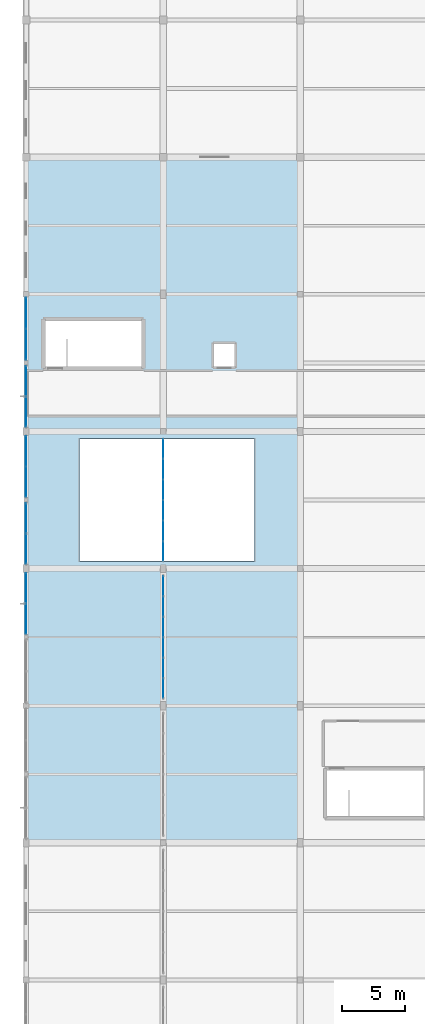
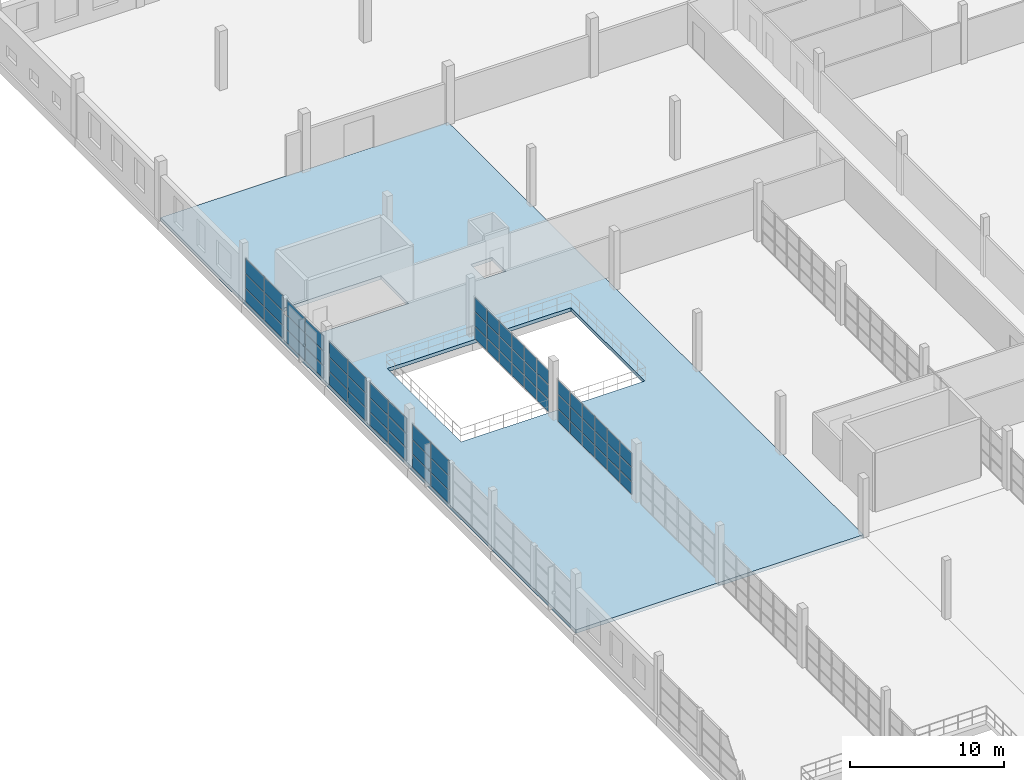
# One storey, part 89 of 142: 66 plates, 1 slab, 7 elements without a shape of their own.
"""IFC4 building model written with IfcOpenShell, lengths in metres."""

import ifcopenshell
import ifcopenshell.guid

model = None  # the IFC model being written
_history = None  # IfcOwnerHistory: only IFC2X3 demands one
_inside = {}  # id of a spatial element -> (the spatial element, [elements in it])
_under = {}  # id of a project, library or spatial element -> (it, [spatial elements below it])
_declared = {}  # id of a project -> (the project, [libraries it declares])
_typed = {}  # id of a type object -> (the type object, [elements of that type])
_made_of = {}  # id of a material, layer set ... -> (it, [elements and type objects made of it])


def new_model(schema):
    """Start an empty IFC model of exactly this schema.

    Asked for "IFC4X3", IfcOpenShell would pick the latest addendum, in which some entities
    have other attributes; the version numbers below select the first issue.
    IFC2X3 requires an IfcOwnerHistory on every rooted entity: one is made here for all.
    """
    global model, _history
    if schema == "IFC4X3":
        model = ifcopenshell.file(schema_version=(4, 3, 0, 0))
    else:
        model = ifcopenshell.file(schema=schema)
    _inside.clear()
    _under.clear()
    _declared.clear()
    _typed.clear()
    _made_of.clear()
    _history = None
    if model.schema == "IFC2X3":
        org = make("IfcOrganization", Name="unknown")
        user = make(
            "IfcPersonAndOrganization",
            ThePerson=make("IfcPerson", FamilyName="unknown"),
            TheOrganization=org,
        )
        app = make(
            "IfcApplication",
            ApplicationDeveloper=org,
            Version="unknown",
            ApplicationFullName="unknown",
            ApplicationIdentifier="unknown",
        )
        _history = make(
            "IfcOwnerHistory",
            OwningUser=user,
            OwningApplication=app,
            ChangeAction="ADDED",
            CreationDate=0,
        )
    return model


def make(cls, **values):
    """One entity of the class cls with the attributes given. An attribute that is None is left unset."""
    return model.create_entity(
        cls, **{name: value for name, value in values.items() if value is not None}
    )


def rooted(cls, **values):
    """An entity with a GlobalId (a new one), such as an element, a storey or a relation."""
    return make(cls, GlobalId=ifcopenshell.guid.new(), OwnerHistory=_history, **values)


def si_unit(unit_type, name, prefix=None):
    """IfcSIUnit, for example si_unit("LENGTHUNIT", "METRE", prefix="MILLI")."""
    return make("IfcSIUnit", UnitType=unit_type, Prefix=prefix, Name=name)


def assignment(units):
    """IfcUnitAssignment: the units of a project."""
    return None if units is None else make("IfcUnitAssignment", Units=units)


def point(xyz):
    """IfcCartesianPoint."""
    return None if xyz is None else make("IfcCartesianPoint", Coordinates=xyz)


def direction(xyz):
    """IfcDirection."""
    return None if xyz is None else make("IfcDirection", DirectionRatios=xyz)


def frame(location, z_axis=None, x_axis=None):
    """IfcAxis2Placement3D, a coordinate frame: its origin and axes. An axis left out is left unset."""
    return make(
        "IfcAxis2Placement3D",
        Location=point(location),
        Axis=direction(z_axis),
        RefDirection=direction(x_axis),
    )


def frame_2d(location, x_axis=None):
    """IfcAxis2Placement2D, a coordinate frame in the plane: its origin and x axis."""
    return make(
        "IfcAxis2Placement2D", Location=point(location), RefDirection=direction(x_axis)
    )


def origin():
    """The frame at (0, 0, 0) with its axes left unset."""
    return frame((0.0, 0.0, 0.0))


def origin_2d():
    """The frame at (0, 0) in the plane with its x axis left unset."""
    return frame_2d((0.0, 0.0))


def place(relative_to, where):
    """IfcLocalPlacement: puts the frame where relative to a parent placement (None: the world)."""
    return make(
        "IfcLocalPlacement", PlacementRelTo=relative_to, RelativePlacement=where
    )


def context(
    kind, dimensions, precision=None, world=None, true_north=None, identifier=None
):
    """IfcGeometricRepresentationContext, for example the 3D "Model" context."""
    return make(
        "IfcGeometricRepresentationContext",
        ContextIdentifier=identifier,
        ContextType=kind,
        CoordinateSpaceDimension=dimensions,
        Precision=precision,
        WorldCoordinateSystem=world,
        TrueNorth=true_north,
    )


def subcontext(parent, identifier, kind, view, scale=None):
    """IfcGeometricRepresentationSubContext, for example "Body" below "Model"."""
    return make(
        "IfcGeometricRepresentationSubContext",
        ContextIdentifier=identifier,
        ContextType=kind,
        ParentContext=parent,
        TargetScale=scale,
        TargetView=view,
    )


def project(units=None, contexts=None):
    """IfcProject with its units and contexts."""
    return rooted(
        "IfcProject",
        Name="project",
        RepresentationContexts=contexts,
        UnitsInContext=assignment(units),
    )


def spatial(cls, under=None, at=None, **own):
    """A site, building, storey or space (cls), placed at a placement, below another one or the project."""
    s = rooted(cls, ObjectPlacement=at, **own)
    if under is not None:
        _under.setdefault(under.id(), (under, []))[1].append(s)
    return s


def polyline(points):
    """IfcPolyline through the points."""
    return make("IfcPolyline", Points=[point(p) for p in points])


def profile(cls, at=None, kind="AREA", **sizes):
    """A parametric profile (cls). Its sizes go by their IFC names, for example OverallWidth=200.0."""
    return make(cls, ProfileType=kind, Position=at, **sizes)


def rectangle(**sizes):
    """IfcRectangleProfileDef."""
    return profile("IfcRectangleProfileDef", **sizes)


def outline(outer, holes=None, kind="AREA"):
    """IfcArbitraryClosedProfileDef: a profile drawn as a closed curve; with holes, ...WithVoids."""
    if holes is None:
        return make("IfcArbitraryClosedProfileDef", ProfileType=kind, OuterCurve=outer)
    return make(
        "IfcArbitraryProfileDefWithVoids",
        ProfileType=kind,
        OuterCurve=outer,
        InnerCurves=holes,
    )


def extrude(swept, where, along, depth):
    """IfcExtrudedAreaSolid: the profile swept, set in the frame where, extruded along a direction by depth."""
    return make(
        "IfcExtrudedAreaSolid",
        SweptArea=swept,
        Position=where,
        ExtrudedDirection=direction(along),
        Depth=depth,
    )


def shape(context_of_items, identifier, shape_type, items):
    """IfcShapeRepresentation: the items that make up one representation, for example the "Body"."""
    return make(
        "IfcShapeRepresentation",
        ContextOfItems=context_of_items,
        RepresentationIdentifier=identifier,
        RepresentationType=shape_type,
        Items=items,
    )


def material(Name=None, Category=None):
    """IfcMaterial."""
    return make("IfcMaterial", Name=Name, Category=Category)


def layer(
    of_material, thickness, ventilated=None, Name=None, Category=None, Priority=None
):
    """IfcMaterialLayer: one layer of a wall or slab, of a material (None: an air gap)."""
    return make(
        "IfcMaterialLayer",
        Material=of_material,
        LayerThickness=thickness,
        IsVentilated=ventilated,
        Name=Name,
        Category=Category,
        Priority=Priority,
    )


def layer_set(layers, Name=None):
    """IfcMaterialLayerSet."""
    return make("IfcMaterialLayerSet", MaterialLayers=layers, LayerSetName=Name)


def made_of(thing, what):
    """Note that an element or type object is made of a material, layer set ...; save() writes the relation."""
    if what is not None:
        _made_of.setdefault(what.id(), (what, []))[1].append(thing)
    return thing


def type_object(cls, material=None, **own):
    """A type object (cls), such as IfcWallType, which elements share."""
    return made_of(rooted(cls, **own), material)


def element(
    cls,
    number,
    at=None,
    inside=None,
    cuts=None,
    type_object=None,
    material=None,
    context=None,
    identifier="Body",
    shape_type=None,
    held_by="IfcProductDefinitionShape",
    body=None,
    shapes=None,
    **own,
):
    """One element of the class cls, such as IfcWall. Its Tag is "e" and its number.

    at: its placement. inside: the storey or other place that contains it. cuts: it is an
    opening in that element (IfcRelVoidsElement). A single representation is given by context,
    identifier, shape_type and body (its items); several are given by shapes. held_by: the class
    of the entity that holds the representations. save() writes the other relations.
    """
    e = rooted(cls, Tag="e%d" % number, ObjectPlacement=at, **own)
    if body is not None:
        shapes = [shape(context, identifier, shape_type, body)]
    if shapes is not None:
        e.Representation = make(held_by, Representations=shapes)
    if inside is not None:
        _inside.setdefault(inside.id(), (inside, []))[1].append(e)
    if cuts is not None:
        rooted(
            "IfcRelVoidsElement", RelatingBuildingElement=cuts, RelatedOpeningElement=e
        )
    if type_object is not None:
        _typed.setdefault(type_object.id(), (type_object, []))[1].append(e)
    return made_of(e, material)


def aggregate(whole, parts):
    """IfcRelAggregates: a whole, such as a stair, and the parts it consists of."""
    return rooted("IfcRelAggregates", RelatingObject=whole, RelatedObjects=parts)


def save(model, path):
    """Write the relations noted so far, then the file.

    IfcRelAggregates (storeys below a building ...), IfcRelContainedInSpatialStructure (elements
    in a storey), IfcRelDefinesByType, IfcRelAssociatesMaterial and IfcRelDeclares: one each for
    every whole, place, type object, material and project.
    """
    for whole, parts in _under.values():
        aggregate(whole, parts)
    for where, things in _inside.values():
        rooted(
            "IfcRelContainedInSpatialStructure",
            RelatedElements=things,
            RelatingStructure=where,
        )
    for kind, things in _typed.values():
        rooted("IfcRelDefinesByType", RelatedObjects=things, RelatingType=kind)
    for what, things in _made_of.values():
        rooted("IfcRelAssociatesMaterial", RelatedObjects=things, RelatingMaterial=what)
    for by, libraries in _declared.values():
        rooted("IfcRelDeclares", RelatingContext=by, RelatedDefinitions=libraries)
    model.write(path)


model = new_model("IFC4")

# Units and contexts
model_context = context("Model", 3, precision=1e-05, world=origin(), true_north=direction((0.0, 1.0)))
body_context = subcontext(model_context, "Body", "Model", "MODEL_VIEW")
ifc_project = project(units=[si_unit("LENGTHUNIT", "METRE"), si_unit("AREAUNIT", "SQUARE_METRE"), si_unit("VOLUMEUNIT", "CUBIC_METRE"), si_unit("PLANEANGLEUNIT", "RADIAN"), si_unit("MASSUNIT", "GRAM", prefix="KILO")], contexts=[model_context])

# Site, building, storey
site_placement = place(None, origin())
site = spatial("IfcSite", under=ifc_project, at=site_placement, CompositionType="ELEMENT")
building_placement = place(site_placement, origin())
building = spatial("IfcBuilding", under=site, at=building_placement, Name="Zwinboog Wholesale Market", CompositionType="ELEMENT")
storey_placement = place(building_placement, frame((0.0, 0.0, 5.39990234375)))
storey = spatial("IfcBuildingStorey", under=building, at=storey_placement, Name="L01", CompositionType="ELEMENT", Elevation=5.39990234375)

# Slab
ifc_material_1 = material(Name="Precast concrete C45/55", Category="concrete")
ifc_layer_1 = layer(ifc_material_1, 0.280029296875)
ifc_layer_set_1 = layer_set([ifc_layer_1], Name="Precast concrete C45/55")
slab_type = type_object("IfcSlabType", Name="SLT-FL-280", PredefinedType="FLOOR", material=ifc_layer_set_1)
slab_placement = place(storey_placement, frame((0.0, 0.0, -0.27978515625)))
element("IfcSlab", 1, at=slab_placement, inside=storey, type_object=slab_type, Name="SF-280 (SLB-L01-032)", PredefinedType="FLOOR", context=body_context, shape_type="SweptSolid", body=[
    extrude(outline(polyline([(0.0, 54.0), (21.60009765625, 54.0), (21.60009765625, 108.0), (0.0, 108.0), (0.0, 54.0)]), holes=[polyline([(4.199951171875, 76.199951171875), (18.0, 76.199951171875), (18.0, 85.800048828125), (4.199951171875, 85.800048828125), (4.199951171875, 76.199951171875)]), polyline([(1.5, 91.5), (9.10009765625, 91.5), (9.10009765625, 95.10009765625), (1.5, 95.10009765625), (1.5, 91.5)]), polyline([(14.800048828125, 91.5), (16.39990234375, 91.5), (16.39990234375, 93.300048828125), (14.800048828125, 93.300048828125), (14.800048828125, 91.5)])]), origin(), (0.0, 0.0, 1.0), 0.27978515625),
])

# Curtain wall, plates
ifc_material_2 = material(Name="Aluminium thermally broken curtain wall", Category="aluminium")
curtain_wall_type_1 = type_object("IfcCurtainWallType", Name="CWT-OFF-15", PredefinedType="USERDEFINED", material=ifc_material_2)
curtain_wall_1_placement = place(storey_placement, origin())
curtain_wall_1 = element("IfcCurtainWall", 2, at=curtain_wall_1_placement, inside=storey, type_object=curtain_wall_type_1, Name="CW-06 (CW-L01-060)", ObjectType="UNITIZED_CURTAIN_WALL", PredefinedType="USERDEFINED")
ifc_material_3 = material(Name="Double low-e insulated glazing", Category="glass")
ifc_layer_2 = layer(ifc_material_3, 0.031982421875)
ifc_layer_set_2 = layer_set([ifc_layer_2], Name="Double low-e insulated glazing")
plate_type_1 = type_object("IfcPlateType", Name="CWP-IGU-32", PredefinedType="CURTAIN_PANEL", material=ifc_layer_set_2)
plate_1_placement = place(storey_placement, frame((0.0, 71.635009765625, 0.06005859375), z_axis=(0.0, 0.0, 1.0), x_axis=(0.0, 1.0, 0.0)))
plate_1 = element("IfcPlate", 3, at=plate_1_placement, type_object=plate_type_1, Name="CW-06 panel 1.1", PredefinedType="CURTAIN_PANEL", context=body_context, shape_type="SweptSolid", body=[
    extrude(rectangle(XDim=2.35009765625, YDim=0.031982421875, at=origin_2d()), origin(), (0.0, 0.0, 1.0), 1.010009765625),
])
plate_2_placement = place(storey_placement, frame((0.0, 71.635009765625, 1.1298828125), z_axis=(0.0, 0.0, 1.0), x_axis=(0.0, 1.0, 0.0)))
plate_2 = element("IfcPlate", 4, at=plate_2_placement, type_object=plate_type_1, Name="CW-06 panel 1.2", PredefinedType="CURTAIN_PANEL", context=body_context, shape_type="SweptSolid", body=[
    extrude(rectangle(XDim=2.35009765625, YDim=0.031982421875, at=origin_2d()), origin(), (0.0, 0.0, 1.0), 1.090087890625),
])
plate_3_placement = place(storey_placement, frame((0.0, 71.635009765625, 2.280029296875), z_axis=(0.0, 0.0, 1.0), x_axis=(0.0, 1.0, 0.0)))
plate_3 = element("IfcPlate", 5, at=plate_3_placement, type_object=plate_type_1, Name="CW-06 panel 1.3", PredefinedType="CURTAIN_PANEL", context=body_context, shape_type="SweptSolid", body=[
    extrude(rectangle(XDim=2.35009765625, YDim=0.031982421875, at=origin_2d()), origin(), (0.0, 0.0, 1.0), 1.18994140625),
])
plate_4_placement = place(storey_placement, frame((0.0, 74.044921875, 0.06005859375), z_axis=(0.0, 0.0, 1.0), x_axis=(0.0, 1.0, 0.0)))
plate_4 = element("IfcPlate", 6, at=plate_4_placement, type_object=plate_type_1, Name="CW-06 panel 2.1", PredefinedType="CURTAIN_PANEL", context=body_context, shape_type="SweptSolid", body=[
    extrude(rectangle(XDim=2.35009765625, YDim=0.031982421875, at=origin_2d()), origin(), (0.0, 0.0, 1.0), 1.010009765625),
])
plate_5_placement = place(storey_placement, frame((0.0, 74.044921875, 1.1298828125), z_axis=(0.0, 0.0, 1.0), x_axis=(0.0, 1.0, 0.0)))
plate_5 = element("IfcPlate", 7, at=plate_5_placement, type_object=plate_type_1, Name="CW-06 panel 2.2", PredefinedType="CURTAIN_PANEL", context=body_context, shape_type="SweptSolid", body=[
    extrude(rectangle(XDim=2.35009765625, YDim=0.031982421875, at=origin_2d()), origin(), (0.0, 0.0, 1.0), 1.090087890625),
])
plate_6_placement = place(storey_placement, frame((0.0, 74.044921875, 2.280029296875), z_axis=(0.0, 0.0, 1.0), x_axis=(0.0, 1.0, 0.0)))
plate_6 = element("IfcPlate", 8, at=plate_6_placement, type_object=plate_type_1, Name="CW-06 panel 2.3", PredefinedType="CURTAIN_PANEL", context=body_context, shape_type="SweptSolid", body=[
    extrude(rectangle(XDim=2.35009765625, YDim=0.031982421875, at=origin_2d()), origin(), (0.0, 0.0, 1.0), 1.18994140625),
])
aggregate(curtain_wall_1, [plate_1, plate_2, plate_3, plate_4, plate_5, plate_6])

curtain_wall_type_2 = type_object("IfcCurtainWallType", Name="CWT-STALL-18", PredefinedType="USERDEFINED", material=ifc_material_2)
curtain_wall_2_placement = place(storey_placement, origin())
curtain_wall_2 = element("IfcCurtainWall", 9, at=curtain_wall_2_placement, inside=storey, type_object=curtain_wall_type_2, Name="CW-01 (CW-L01-061)", ObjectType="STOREFRONT_GLAZING", PredefinedType="USERDEFINED")
plate_7_placement = place(storey_placement, frame((0.0, 77.15625, 0.065185546875), z_axis=(0.0, 0.0, 1.0), x_axis=(0.0, 1.0, 0.0)))
plate_7 = element("IfcPlate", 10, at=plate_7_placement, type_object=plate_type_1, Name="CW-01 panel 1.1", PredefinedType="CURTAIN_PANEL", context=body_context, shape_type="SweptSolid", body=[
    extrude(rectangle(XDim=2.342529296875, YDim=0.031982421875, at=origin_2d()), origin(), (0.0, 0.0, 1.0), 1.00244140625),
])
plate_8_placement = place(storey_placement, frame((0.0, 77.15625, 1.132568359375), z_axis=(0.0, 0.0, 1.0), x_axis=(0.0, 1.0, 0.0)))
plate_8 = element("IfcPlate", 11, at=plate_8_placement, type_object=plate_type_1, Name="CW-01 panel 1.2", PredefinedType="CURTAIN_PANEL", context=body_context, shape_type="SweptSolid", body=[
    extrude(rectangle(XDim=2.342529296875, YDim=0.031982421875, at=origin_2d()), origin(), (0.0, 0.0, 1.0), 1.0849609375),
])
plate_9_placement = place(storey_placement, frame((0.0, 77.15625, 2.282470703125), z_axis=(0.0, 0.0, 1.0), x_axis=(0.0, 1.0, 0.0)))
plate_9 = element("IfcPlate", 12, at=plate_9_placement, type_object=plate_type_1, Name="CW-01 panel 1.3", PredefinedType="CURTAIN_PANEL", context=body_context, shape_type="SweptSolid", body=[
    extrude(rectangle(XDim=2.342529296875, YDim=0.031982421875, at=origin_2d()), origin(), (0.0, 0.0, 1.0), 1.1826171875),
])
plate_10_placement = place(storey_placement, frame((0.0, 79.563720703125, 0.065185546875), z_axis=(0.0, 0.0, 1.0), x_axis=(0.0, 1.0, 0.0)))
plate_10 = element("IfcPlate", 13, at=plate_10_placement, type_object=plate_type_1, Name="CW-01 panel 2.1", PredefinedType="CURTAIN_PANEL", context=body_context, shape_type="SweptSolid", body=[
    extrude(rectangle(XDim=2.342529296875, YDim=0.031982421875, at=origin_2d()), origin(), (0.0, 0.0, 1.0), 1.00244140625),
])
plate_11_placement = place(storey_placement, frame((0.0, 79.563720703125, 1.132568359375), z_axis=(0.0, 0.0, 1.0), x_axis=(0.0, 1.0, 0.0)))
plate_11 = element("IfcPlate", 14, at=plate_11_placement, type_object=plate_type_1, Name="CW-01 panel 2.2", PredefinedType="CURTAIN_PANEL", context=body_context, shape_type="SweptSolid", body=[
    extrude(rectangle(XDim=2.342529296875, YDim=0.031982421875, at=origin_2d()), origin(), (0.0, 0.0, 1.0), 1.0849609375),
])
plate_12_placement = place(storey_placement, frame((0.0, 79.563720703125, 2.282470703125), z_axis=(0.0, 0.0, 1.0), x_axis=(0.0, 1.0, 0.0)))
plate_12 = element("IfcPlate", 15, at=plate_12_placement, type_object=plate_type_1, Name="CW-01 panel 2.3", PredefinedType="CURTAIN_PANEL", context=body_context, shape_type="SweptSolid", body=[
    extrude(rectangle(XDim=2.342529296875, YDim=0.031982421875, at=origin_2d()), origin(), (0.0, 0.0, 1.0), 1.1826171875),
])
aggregate(curtain_wall_2, [plate_7, plate_8, plate_9, plate_10, plate_11, plate_12])

curtain_wall_type_3 = type_object("IfcCurtainWallType", Name="CWT-STALL-20", PredefinedType="USERDEFINED", material=ifc_material_2)
curtain_wall_3_placement = place(storey_placement, origin())
curtain_wall_3 = element("IfcCurtainWall", 16, at=curtain_wall_3_placement, inside=storey, type_object=curtain_wall_type_3, Name="CW-02 (CW-L01-062)", ObjectType="STOREFRONT_GLAZING", PredefinedType="USERDEFINED")
plate_13_placement = place(storey_placement, frame((0.0, 82.43505859375, 0.06005859375), z_axis=(0.0, 0.0, 1.0), x_axis=(0.0, 1.0, 0.0)))
plate_13 = element("IfcPlate", 17, at=plate_13_placement, type_object=plate_type_1, Name="CW-02 panel 1.1", PredefinedType="CURTAIN_PANEL", context=body_context, shape_type="SweptSolid", body=[
    extrude(rectangle(XDim=2.35009765625, YDim=0.031982421875, at=origin_2d()), origin(), (0.0, 0.0, 1.0), 1.010009765625),
])
plate_14_placement = place(storey_placement, frame((0.0, 82.43505859375, 1.1298828125), z_axis=(0.0, 0.0, 1.0), x_axis=(0.0, 1.0, 0.0)))
plate_14 = element("IfcPlate", 18, at=plate_14_placement, type_object=plate_type_1, Name="CW-02 panel 1.2", PredefinedType="CURTAIN_PANEL", context=body_context, shape_type="SweptSolid", body=[
    extrude(rectangle(XDim=2.35009765625, YDim=0.031982421875, at=origin_2d()), origin(), (0.0, 0.0, 1.0), 1.090087890625),
])
plate_15_placement = place(storey_placement, frame((0.0, 82.43505859375, 2.280029296875), z_axis=(0.0, 0.0, 1.0), x_axis=(0.0, 1.0, 0.0)))
plate_15 = element("IfcPlate", 19, at=plate_15_placement, type_object=plate_type_1, Name="CW-02 panel 1.3", PredefinedType="CURTAIN_PANEL", context=body_context, shape_type="SweptSolid", body=[
    extrude(rectangle(XDim=2.35009765625, YDim=0.031982421875, at=origin_2d()), origin(), (0.0, 0.0, 1.0), 1.18994140625),
])
plate_16_placement = place(storey_placement, frame((0.0, 84.844970703125, 0.06005859375), z_axis=(0.0, 0.0, 1.0), x_axis=(0.0, 1.0, 0.0)))
plate_16 = element("IfcPlate", 20, at=plate_16_placement, type_object=plate_type_1, Name="CW-02 panel 2.1", PredefinedType="CURTAIN_PANEL", context=body_context, shape_type="SweptSolid", body=[
    extrude(rectangle(XDim=2.35009765625, YDim=0.031982421875, at=origin_2d()), origin(), (0.0, 0.0, 1.0), 1.010009765625),
])
plate_17_placement = place(storey_placement, frame((0.0, 84.844970703125, 1.1298828125), z_axis=(0.0, 0.0, 1.0), x_axis=(0.0, 1.0, 0.0)))
plate_17 = element("IfcPlate", 21, at=plate_17_placement, type_object=plate_type_1, Name="CW-02 panel 2.2", PredefinedType="CURTAIN_PANEL", context=body_context, shape_type="SweptSolid", body=[
    extrude(rectangle(XDim=2.35009765625, YDim=0.031982421875, at=origin_2d()), origin(), (0.0, 0.0, 1.0), 1.090087890625),
])
plate_18_placement = place(storey_placement, frame((0.0, 84.844970703125, 2.280029296875), z_axis=(0.0, 0.0, 1.0), x_axis=(0.0, 1.0, 0.0)))
plate_18 = element("IfcPlate", 22, at=plate_18_placement, type_object=plate_type_1, Name="CW-02 panel 2.3", PredefinedType="CURTAIN_PANEL", context=body_context, shape_type="SweptSolid", body=[
    extrude(rectangle(XDim=2.35009765625, YDim=0.031982421875, at=origin_2d()), origin(), (0.0, 0.0, 1.0), 1.18994140625),
])
aggregate(curtain_wall_3, [plate_13, plate_14, plate_15, plate_16, plate_17, plate_18])

curtain_wall_type_4 = type_object("IfcCurtainWallType", Name="CWT-HALL-24", PredefinedType="USERDEFINED", material=ifc_material_2)
curtain_wall_4_placement = place(storey_placement, origin())
curtain_wall_4 = element("IfcCurtainWall", 23, at=curtain_wall_4_placement, inside=storey, type_object=curtain_wall_type_4, Name="CW-03 (CW-L01-063)", ObjectType="UNITIZED_CURTAIN_WALL", PredefinedType="USERDEFINED")
plate_19_placement = place(storey_placement, frame((0.0, 87.956298828125, 0.065185546875), z_axis=(0.0, 0.0, 1.0), x_axis=(0.0, 1.0, 0.0)))
plate_19 = element("IfcPlate", 24, at=plate_19_placement, type_object=plate_type_1, Name="CW-03 panel 1.1", PredefinedType="CURTAIN_PANEL", context=body_context, shape_type="SweptSolid", body=[
    extrude(rectangle(XDim=2.342529296875, YDim=0.031982421875, at=origin_2d()), origin(), (0.0, 0.0, 1.0), 1.00244140625),
])
plate_20_placement = place(storey_placement, frame((0.0, 87.956298828125, 1.132568359375), z_axis=(0.0, 0.0, 1.0), x_axis=(0.0, 1.0, 0.0)))
plate_20 = element("IfcPlate", 25, at=plate_20_placement, type_object=plate_type_1, Name="CW-03 panel 1.2", PredefinedType="CURTAIN_PANEL", context=body_context, shape_type="SweptSolid", body=[
    extrude(rectangle(XDim=2.342529296875, YDim=0.031982421875, at=origin_2d()), origin(), (0.0, 0.0, 1.0), 1.0849609375),
])
plate_21_placement = place(storey_placement, frame((0.0, 87.956298828125, 2.282470703125), z_axis=(0.0, 0.0, 1.0), x_axis=(0.0, 1.0, 0.0)))
plate_21 = element("IfcPlate", 26, at=plate_21_placement, type_object=plate_type_1, Name="CW-03 panel 1.3", PredefinedType="CURTAIN_PANEL", context=body_context, shape_type="SweptSolid", body=[
    extrude(rectangle(XDim=2.342529296875, YDim=0.031982421875, at=origin_2d()), origin(), (0.0, 0.0, 1.0), 1.1826171875),
])
plate_22_placement = place(storey_placement, frame((0.0, 90.36376953125, 0.065185546875), z_axis=(0.0, 0.0, 1.0), x_axis=(0.0, 1.0, 0.0)))
plate_22 = element("IfcPlate", 27, at=plate_22_placement, type_object=plate_type_1, Name="CW-03 panel 2.1", PredefinedType="CURTAIN_PANEL", context=body_context, shape_type="SweptSolid", body=[
    extrude(rectangle(XDim=2.342529296875, YDim=0.031982421875, at=origin_2d()), origin(), (0.0, 0.0, 1.0), 1.00244140625),
])
plate_23_placement = place(storey_placement, frame((0.0, 90.36376953125, 1.132568359375), z_axis=(0.0, 0.0, 1.0), x_axis=(0.0, 1.0, 0.0)))
plate_23 = element("IfcPlate", 28, at=plate_23_placement, type_object=plate_type_1, Name="CW-03 panel 2.2", PredefinedType="CURTAIN_PANEL", context=body_context, shape_type="SweptSolid", body=[
    extrude(rectangle(XDim=2.342529296875, YDim=0.031982421875, at=origin_2d()), origin(), (0.0, 0.0, 1.0), 1.0849609375),
])
plate_24_placement = place(storey_placement, frame((0.0, 90.36376953125, 2.282470703125), z_axis=(0.0, 0.0, 1.0), x_axis=(0.0, 1.0, 0.0)))
plate_24 = element("IfcPlate", 29, at=plate_24_placement, type_object=plate_type_1, Name="CW-03 panel 2.3", PredefinedType="CURTAIN_PANEL", context=body_context, shape_type="SweptSolid", body=[
    extrude(rectangle(XDim=2.342529296875, YDim=0.031982421875, at=origin_2d()), origin(), (0.0, 0.0, 1.0), 1.1826171875),
])
aggregate(curtain_wall_4, [plate_19, plate_20, plate_21, plate_22, plate_23, plate_24])

curtain_wall_type_5 = type_object("IfcCurtainWallType", Name="CWT-GAL-16", PredefinedType="USERDEFINED", material=ifc_material_2)
curtain_wall_5_placement = place(storey_placement, origin())
curtain_wall_5 = element("IfcCurtainWall", 30, at=curtain_wall_5_placement, inside=storey, type_object=curtain_wall_type_5, Name="CW-04 (CW-L01-064)", ObjectType="UNITIZED_CURTAIN_WALL", PredefinedType="USERDEFINED")
plate_25_placement = place(storey_placement, frame((0.0, 93.260009765625, 0.06005859375), z_axis=(0.0, 0.0, 1.0), x_axis=(0.0, 1.0, 0.0)))
plate_25 = element("IfcPlate", 31, at=plate_25_placement, type_object=plate_type_1, Name="CW-04 panel 1.1", PredefinedType="CURTAIN_PANEL", context=body_context, shape_type="SweptSolid", body=[
    extrude(rectangle(XDim=2.39990234375, YDim=0.031982421875, at=origin_2d()), origin(), (0.0, 0.0, 1.0), 1.010009765625),
])
plate_26_placement = place(storey_placement, frame((0.0, 93.260009765625, 1.1298828125), z_axis=(0.0, 0.0, 1.0), x_axis=(0.0, 1.0, 0.0)))
plate_26 = element("IfcPlate", 32, at=plate_26_placement, type_object=plate_type_1, Name="CW-04 panel 1.2", PredefinedType="CURTAIN_PANEL", context=body_context, shape_type="SweptSolid", body=[
    extrude(rectangle(XDim=2.39990234375, YDim=0.031982421875, at=origin_2d()), origin(), (0.0, 0.0, 1.0), 1.090087890625),
])
plate_27_placement = place(storey_placement, frame((0.0, 93.260009765625, 2.280029296875), z_axis=(0.0, 0.0, 1.0), x_axis=(0.0, 1.0, 0.0)))
plate_27 = element("IfcPlate", 33, at=plate_27_placement, type_object=plate_type_1, Name="CW-04 panel 1.3", PredefinedType="CURTAIN_PANEL", context=body_context, shape_type="SweptSolid", body=[
    extrude(rectangle(XDim=2.39990234375, YDim=0.031982421875, at=origin_2d()), origin(), (0.0, 0.0, 1.0), 1.18994140625),
])
plate_28_placement = place(storey_placement, frame((0.0, 95.719970703125, 0.06005859375), z_axis=(0.0, 0.0, 1.0), x_axis=(0.0, 1.0, 0.0)))
plate_28 = element("IfcPlate", 34, at=plate_28_placement, type_object=plate_type_1, Name="CW-04 panel 2.1", PredefinedType="CURTAIN_PANEL", context=body_context, shape_type="SweptSolid", body=[
    extrude(rectangle(XDim=2.39990234375, YDim=0.031982421875, at=origin_2d()), origin(), (0.0, 0.0, 1.0), 1.010009765625),
])
plate_29_placement = place(storey_placement, frame((0.0, 95.719970703125, 1.1298828125), z_axis=(0.0, 0.0, 1.0), x_axis=(0.0, 1.0, 0.0)))
plate_29 = element("IfcPlate", 35, at=plate_29_placement, type_object=plate_type_1, Name="CW-04 panel 2.2", PredefinedType="CURTAIN_PANEL", context=body_context, shape_type="SweptSolid", body=[
    extrude(rectangle(XDim=2.39990234375, YDim=0.031982421875, at=origin_2d()), origin(), (0.0, 0.0, 1.0), 1.090087890625),
])
plate_30_placement = place(storey_placement, frame((0.0, 95.719970703125, 2.280029296875), z_axis=(0.0, 0.0, 1.0), x_axis=(0.0, 1.0, 0.0)))
plate_30 = element("IfcPlate", 36, at=plate_30_placement, type_object=plate_type_1, Name="CW-04 panel 2.3", PredefinedType="CURTAIN_PANEL", context=body_context, shape_type="SweptSolid", body=[
    extrude(rectangle(XDim=2.39990234375, YDim=0.031982421875, at=origin_2d()), origin(), (0.0, 0.0, 1.0), 1.18994140625),
])
aggregate(curtain_wall_5, [plate_25, plate_26, plate_27, plate_28, plate_29, plate_30])

curtain_wall_type_6 = type_object("IfcCurtainWallType", Name="CWT-INT-STALL", PredefinedType="USERDEFINED", material=ifc_material_2)
curtain_wall_6_placement = place(storey_placement, origin())
curtain_wall_6 = element("IfcCurtainWall", 37, at=curtain_wall_6_placement, inside=storey, type_object=curtain_wall_type_6, Name="CW-07 (CW-STL-261)", ObjectType="STOREFRONT_GLAZING", PredefinedType="USERDEFINED")
ifc_material_4 = material(Name="Tempered laminated market stall glazing", Category="glass")
ifc_layer_3 = layer(ifc_material_4, 0.01611328125)
ifc_layer_set_3 = layer_set([ifc_layer_3], Name="Tempered laminated market stall glazing")
plate_type_2 = type_object("IfcPlateType", Name="CWP-INT-16", PredefinedType="CURTAIN_PANEL", material=ifc_layer_set_3)
plate_31_placement = place(storey_placement, frame((10.800048828125, 66.17333984375, 0.06005859375), z_axis=(0.0, 0.0, 1.0), x_axis=(0.0, 1.0, 0.0)))
plate_31 = element("IfcPlate", 38, at=plate_31_placement, type_object=plate_type_2, Name="CW-07 panel 1.1", PredefinedType="CURTAIN_PANEL", context=body_context, shape_type="SweptSolid", body=[
    extrude(rectangle(XDim=1.526611328125, YDim=0.01611328125, at=origin_2d()), origin(), (0.0, 0.0, 1.0), 0.9599609375),
])
plate_32_placement = place(storey_placement, frame((10.800048828125, 66.17333984375, 1.080078125), z_axis=(0.0, 0.0, 1.0), x_axis=(0.0, 1.0, 0.0)))
plate_32 = element("IfcPlate", 39, at=plate_32_placement, type_object=plate_type_2, Name="CW-07 panel 1.2", PredefinedType="CURTAIN_PANEL", context=body_context, shape_type="SweptSolid", body=[
    extrude(rectangle(XDim=1.526611328125, YDim=0.01611328125, at=origin_2d()), origin(), (0.0, 0.0, 1.0), 1.090087890625),
])
plate_33_placement = place(storey_placement, frame((10.800048828125, 66.17333984375, 2.22998046875), z_axis=(0.0, 0.0, 1.0), x_axis=(0.0, 1.0, 0.0)))
plate_33 = element("IfcPlate", 40, at=plate_33_placement, type_object=plate_type_2, Name="CW-07 panel 1.3", PredefinedType="CURTAIN_PANEL", context=body_context, shape_type="SweptSolid", body=[
    extrude(rectangle(XDim=1.526611328125, YDim=0.01611328125, at=origin_2d()), origin(), (0.0, 0.0, 1.0), 1.110107421875),
])
plate_34_placement = place(storey_placement, frame((10.800048828125, 67.77490234375, 0.06005859375), z_axis=(0.0, 0.0, 1.0), x_axis=(0.0, 1.0, 0.0)))
plate_34 = element("IfcPlate", 41, at=plate_34_placement, type_object=plate_type_2, Name="CW-07 panel 2.1", PredefinedType="CURTAIN_PANEL", context=body_context, shape_type="SweptSolid", body=[
    extrude(rectangle(XDim=1.556640625, YDim=0.01611328125, at=origin_2d()), origin(), (0.0, 0.0, 1.0), 0.9599609375),
])
plate_35_placement = place(storey_placement, frame((10.800048828125, 67.77490234375, 1.080078125), z_axis=(0.0, 0.0, 1.0), x_axis=(0.0, 1.0, 0.0)))
plate_35 = element("IfcPlate", 42, at=plate_35_placement, type_object=plate_type_2, Name="CW-07 panel 2.2", PredefinedType="CURTAIN_PANEL", context=body_context, shape_type="SweptSolid", body=[
    extrude(rectangle(XDim=1.556640625, YDim=0.01611328125, at=origin_2d()), origin(), (0.0, 0.0, 1.0), 1.090087890625),
])
plate_36_placement = place(storey_placement, frame((10.800048828125, 67.77490234375, 2.22998046875), z_axis=(0.0, 0.0, 1.0), x_axis=(0.0, 1.0, 0.0)))
plate_36 = element("IfcPlate", 43, at=plate_36_placement, type_object=plate_type_2, Name="CW-07 panel 2.3", PredefinedType="CURTAIN_PANEL", context=body_context, shape_type="SweptSolid", body=[
    extrude(rectangle(XDim=1.556640625, YDim=0.01611328125, at=origin_2d()), origin(), (0.0, 0.0, 1.0), 1.110107421875),
])
plate_37_placement = place(storey_placement, frame((10.800048828125, 69.3916015625, 0.06005859375), z_axis=(0.0, 0.0, 1.0), x_axis=(0.0, 1.0, 0.0)))
plate_37 = element("IfcPlate", 44, at=plate_37_placement, type_object=plate_type_2, Name="CW-07 panel 3.1", PredefinedType="CURTAIN_PANEL", context=body_context, shape_type="SweptSolid", body=[
    extrude(rectangle(XDim=1.556640625, YDim=0.01611328125, at=origin_2d()), origin(), (0.0, 0.0, 1.0), 0.9599609375),
])
plate_38_placement = place(storey_placement, frame((10.800048828125, 69.3916015625, 1.080078125), z_axis=(0.0, 0.0, 1.0), x_axis=(0.0, 1.0, 0.0)))
plate_38 = element("IfcPlate", 45, at=plate_38_placement, type_object=plate_type_2, Name="CW-07 panel 3.2", PredefinedType="CURTAIN_PANEL", context=body_context, shape_type="SweptSolid", body=[
    extrude(rectangle(XDim=1.556640625, YDim=0.01611328125, at=origin_2d()), origin(), (0.0, 0.0, 1.0), 1.090087890625),
])
plate_39_placement = place(storey_placement, frame((10.800048828125, 69.3916015625, 2.22998046875), z_axis=(0.0, 0.0, 1.0), x_axis=(0.0, 1.0, 0.0)))
plate_39 = element("IfcPlate", 46, at=plate_39_placement, type_object=plate_type_2, Name="CW-07 panel 3.3", PredefinedType="CURTAIN_PANEL", context=body_context, shape_type="SweptSolid", body=[
    extrude(rectangle(XDim=1.556640625, YDim=0.01611328125, at=origin_2d()), origin(), (0.0, 0.0, 1.0), 1.110107421875),
])
plate_40_placement = place(storey_placement, frame((10.800048828125, 71.00830078125, 0.06005859375), z_axis=(0.0, 0.0, 1.0), x_axis=(0.0, 1.0, 0.0)))
plate_40 = element("IfcPlate", 47, at=plate_40_placement, type_object=plate_type_2, Name="CW-07 panel 4.1", PredefinedType="CURTAIN_PANEL", context=body_context, shape_type="SweptSolid", body=[
    extrude(rectangle(XDim=1.556640625, YDim=0.01611328125, at=origin_2d()), origin(), (0.0, 0.0, 1.0), 0.9599609375),
])
plate_41_placement = place(storey_placement, frame((10.800048828125, 71.00830078125, 1.080078125), z_axis=(0.0, 0.0, 1.0), x_axis=(0.0, 1.0, 0.0)))
plate_41 = element("IfcPlate", 48, at=plate_41_placement, type_object=plate_type_2, Name="CW-07 panel 4.2", PredefinedType="CURTAIN_PANEL", context=body_context, shape_type="SweptSolid", body=[
    extrude(rectangle(XDim=1.556640625, YDim=0.01611328125, at=origin_2d()), origin(), (0.0, 0.0, 1.0), 1.090087890625),
])
plate_42_placement = place(storey_placement, frame((10.800048828125, 71.00830078125, 2.22998046875), z_axis=(0.0, 0.0, 1.0), x_axis=(0.0, 1.0, 0.0)))
plate_42 = element("IfcPlate", 49, at=plate_42_placement, type_object=plate_type_2, Name="CW-07 panel 4.3", PredefinedType="CURTAIN_PANEL", context=body_context, shape_type="SweptSolid", body=[
    extrude(rectangle(XDim=1.556640625, YDim=0.01611328125, at=origin_2d()), origin(), (0.0, 0.0, 1.0), 1.110107421875),
])
plate_43_placement = place(storey_placement, frame((10.800048828125, 72.625, 0.06005859375), z_axis=(0.0, 0.0, 1.0), x_axis=(0.0, 1.0, 0.0)))
plate_43 = element("IfcPlate", 50, at=plate_43_placement, type_object=plate_type_2, Name="CW-07 panel 5.1", PredefinedType="CURTAIN_PANEL", context=body_context, shape_type="SweptSolid", body=[
    extrude(rectangle(XDim=1.556640625, YDim=0.01611328125, at=origin_2d()), origin(), (0.0, 0.0, 1.0), 0.9599609375),
])
plate_44_placement = place(storey_placement, frame((10.800048828125, 72.625, 1.080078125), z_axis=(0.0, 0.0, 1.0), x_axis=(0.0, 1.0, 0.0)))
plate_44 = element("IfcPlate", 51, at=plate_44_placement, type_object=plate_type_2, Name="CW-07 panel 5.2", PredefinedType="CURTAIN_PANEL", context=body_context, shape_type="SweptSolid", body=[
    extrude(rectangle(XDim=1.556640625, YDim=0.01611328125, at=origin_2d()), origin(), (0.0, 0.0, 1.0), 1.090087890625),
])
plate_45_placement = place(storey_placement, frame((10.800048828125, 72.625, 2.22998046875), z_axis=(0.0, 0.0, 1.0), x_axis=(0.0, 1.0, 0.0)))
plate_45 = element("IfcPlate", 52, at=plate_45_placement, type_object=plate_type_2, Name="CW-07 panel 5.3", PredefinedType="CURTAIN_PANEL", context=body_context, shape_type="SweptSolid", body=[
    extrude(rectangle(XDim=1.556640625, YDim=0.01611328125, at=origin_2d()), origin(), (0.0, 0.0, 1.0), 1.110107421875),
])
plate_46_placement = place(storey_placement, frame((10.800048828125, 74.2265625, 0.06005859375), z_axis=(0.0, 0.0, 1.0), x_axis=(0.0, 1.0, 0.0)))
plate_46 = element("IfcPlate", 53, at=plate_46_placement, type_object=plate_type_2, Name="CW-07 panel 6.1", PredefinedType="CURTAIN_PANEL", context=body_context, shape_type="SweptSolid", body=[
    extrude(rectangle(XDim=1.526611328125, YDim=0.01611328125, at=origin_2d()), origin(), (0.0, 0.0, 1.0), 0.9599609375),
])
plate_47_placement = place(storey_placement, frame((10.800048828125, 74.2265625, 1.080078125), z_axis=(0.0, 0.0, 1.0), x_axis=(0.0, 1.0, 0.0)))
plate_47 = element("IfcPlate", 54, at=plate_47_placement, type_object=plate_type_2, Name="CW-07 panel 6.2", PredefinedType="CURTAIN_PANEL", context=body_context, shape_type="SweptSolid", body=[
    extrude(rectangle(XDim=1.526611328125, YDim=0.01611328125, at=origin_2d()), origin(), (0.0, 0.0, 1.0), 1.090087890625),
])
plate_48_placement = place(storey_placement, frame((10.800048828125, 74.2265625, 2.22998046875), z_axis=(0.0, 0.0, 1.0), x_axis=(0.0, 1.0, 0.0)))
plate_48 = element("IfcPlate", 55, at=plate_48_placement, type_object=plate_type_2, Name="CW-07 panel 6.3", PredefinedType="CURTAIN_PANEL", context=body_context, shape_type="SweptSolid", body=[
    extrude(rectangle(XDim=1.526611328125, YDim=0.01611328125, at=origin_2d()), origin(), (0.0, 0.0, 1.0), 1.110107421875),
])
aggregate(curtain_wall_6, [plate_31, plate_32, plate_33, plate_34, plate_35, plate_36, plate_37, plate_38, plate_39, plate_40, plate_41, plate_42, plate_43, plate_44, plate_45, plate_46, plate_47, plate_48])

curtain_wall_7_placement = place(storey_placement, origin())
curtain_wall_7 = element("IfcCurtainWall", 56, at=curtain_wall_7_placement, inside=storey, type_object=curtain_wall_type_6, Name="CW-07 (CW-STL-262)", ObjectType="STOREFRONT_GLAZING", PredefinedType="USERDEFINED")
plate_49_placement = place(storey_placement, frame((10.800048828125, 76.973388671875, 0.06005859375), z_axis=(0.0, 0.0, 1.0), x_axis=(0.0, 1.0, 0.0)))
plate_49 = element("IfcPlate", 57, at=plate_49_placement, type_object=plate_type_2, Name="CW-07 panel 1.1", PredefinedType="CURTAIN_PANEL", context=body_context, shape_type="SweptSolid", body=[
    extrude(rectangle(XDim=1.526611328125, YDim=0.01611328125, at=origin_2d()), origin(), (0.0, 0.0, 1.0), 0.9599609375),
])
plate_50_placement = place(storey_placement, frame((10.800048828125, 76.973388671875, 1.080078125), z_axis=(0.0, 0.0, 1.0), x_axis=(0.0, 1.0, 0.0)))
plate_50 = element("IfcPlate", 58, at=plate_50_placement, type_object=plate_type_2, Name="CW-07 panel 1.2", PredefinedType="CURTAIN_PANEL", context=body_context, shape_type="SweptSolid", body=[
    extrude(rectangle(XDim=1.526611328125, YDim=0.01611328125, at=origin_2d()), origin(), (0.0, 0.0, 1.0), 1.090087890625),
])
plate_51_placement = place(storey_placement, frame((10.800048828125, 76.973388671875, 2.22998046875), z_axis=(0.0, 0.0, 1.0), x_axis=(0.0, 1.0, 0.0)))
plate_51 = element("IfcPlate", 59, at=plate_51_placement, type_object=plate_type_2, Name="CW-07 panel 1.3", PredefinedType="CURTAIN_PANEL", context=body_context, shape_type="SweptSolid", body=[
    extrude(rectangle(XDim=1.526611328125, YDim=0.01611328125, at=origin_2d()), origin(), (0.0, 0.0, 1.0), 1.110107421875),
])
plate_52_placement = place(storey_placement, frame((10.800048828125, 78.574951171875, 0.06005859375), z_axis=(0.0, 0.0, 1.0), x_axis=(0.0, 1.0, 0.0)))
plate_52 = element("IfcPlate", 60, at=plate_52_placement, type_object=plate_type_2, Name="CW-07 panel 2.1", PredefinedType="CURTAIN_PANEL", context=body_context, shape_type="SweptSolid", body=[
    extrude(rectangle(XDim=1.556640625, YDim=0.01611328125, at=origin_2d()), origin(), (0.0, 0.0, 1.0), 0.9599609375),
])
plate_53_placement = place(storey_placement, frame((10.800048828125, 78.574951171875, 1.080078125), z_axis=(0.0, 0.0, 1.0), x_axis=(0.0, 1.0, 0.0)))
plate_53 = element("IfcPlate", 61, at=plate_53_placement, type_object=plate_type_2, Name="CW-07 panel 2.2", PredefinedType="CURTAIN_PANEL", context=body_context, shape_type="SweptSolid", body=[
    extrude(rectangle(XDim=1.556640625, YDim=0.01611328125, at=origin_2d()), origin(), (0.0, 0.0, 1.0), 1.090087890625),
])
plate_54_placement = place(storey_placement, frame((10.800048828125, 78.574951171875, 2.22998046875), z_axis=(0.0, 0.0, 1.0), x_axis=(0.0, 1.0, 0.0)))
plate_54 = element("IfcPlate", 62, at=plate_54_placement, type_object=plate_type_2, Name="CW-07 panel 2.3", PredefinedType="CURTAIN_PANEL", context=body_context, shape_type="SweptSolid", body=[
    extrude(rectangle(XDim=1.556640625, YDim=0.01611328125, at=origin_2d()), origin(), (0.0, 0.0, 1.0), 1.110107421875),
])
plate_55_placement = place(storey_placement, frame((10.800048828125, 80.191650390625, 0.06005859375), z_axis=(0.0, 0.0, 1.0), x_axis=(0.0, 1.0, 0.0)))
plate_55 = element("IfcPlate", 63, at=plate_55_placement, type_object=plate_type_2, Name="CW-07 panel 3.1", PredefinedType="CURTAIN_PANEL", context=body_context, shape_type="SweptSolid", body=[
    extrude(rectangle(XDim=1.556640625, YDim=0.01611328125, at=origin_2d()), origin(), (0.0, 0.0, 1.0), 0.9599609375),
])
plate_56_placement = place(storey_placement, frame((10.800048828125, 80.191650390625, 1.080078125), z_axis=(0.0, 0.0, 1.0), x_axis=(0.0, 1.0, 0.0)))
plate_56 = element("IfcPlate", 64, at=plate_56_placement, type_object=plate_type_2, Name="CW-07 panel 3.2", PredefinedType="CURTAIN_PANEL", context=body_context, shape_type="SweptSolid", body=[
    extrude(rectangle(XDim=1.556640625, YDim=0.01611328125, at=origin_2d()), origin(), (0.0, 0.0, 1.0), 1.090087890625),
])
plate_57_placement = place(storey_placement, frame((10.800048828125, 80.191650390625, 2.22998046875), z_axis=(0.0, 0.0, 1.0), x_axis=(0.0, 1.0, 0.0)))
plate_57 = element("IfcPlate", 65, at=plate_57_placement, type_object=plate_type_2, Name="CW-07 panel 3.3", PredefinedType="CURTAIN_PANEL", context=body_context, shape_type="SweptSolid", body=[
    extrude(rectangle(XDim=1.556640625, YDim=0.01611328125, at=origin_2d()), origin(), (0.0, 0.0, 1.0), 1.110107421875),
])
plate_58_placement = place(storey_placement, frame((10.800048828125, 81.808349609375, 0.06005859375), z_axis=(0.0, 0.0, 1.0), x_axis=(0.0, 1.0, 0.0)))
plate_58 = element("IfcPlate", 66, at=plate_58_placement, type_object=plate_type_2, Name="CW-07 panel 4.1", PredefinedType="CURTAIN_PANEL", context=body_context, shape_type="SweptSolid", body=[
    extrude(rectangle(XDim=1.556640625, YDim=0.01611328125, at=origin_2d()), origin(), (0.0, 0.0, 1.0), 0.9599609375),
])
plate_59_placement = place(storey_placement, frame((10.800048828125, 81.808349609375, 1.080078125), z_axis=(0.0, 0.0, 1.0), x_axis=(0.0, 1.0, 0.0)))
plate_59 = element("IfcPlate", 67, at=plate_59_placement, type_object=plate_type_2, Name="CW-07 panel 4.2", PredefinedType="CURTAIN_PANEL", context=body_context, shape_type="SweptSolid", body=[
    extrude(rectangle(XDim=1.556640625, YDim=0.01611328125, at=origin_2d()), origin(), (0.0, 0.0, 1.0), 1.090087890625),
])
plate_60_placement = place(storey_placement, frame((10.800048828125, 81.808349609375, 2.22998046875), z_axis=(0.0, 0.0, 1.0), x_axis=(0.0, 1.0, 0.0)))
plate_60 = element("IfcPlate", 68, at=plate_60_placement, type_object=plate_type_2, Name="CW-07 panel 4.3", PredefinedType="CURTAIN_PANEL", context=body_context, shape_type="SweptSolid", body=[
    extrude(rectangle(XDim=1.556640625, YDim=0.01611328125, at=origin_2d()), origin(), (0.0, 0.0, 1.0), 1.110107421875),
])
plate_61_placement = place(storey_placement, frame((10.800048828125, 83.425048828125, 0.06005859375), z_axis=(0.0, 0.0, 1.0), x_axis=(0.0, 1.0, 0.0)))
plate_61 = element("IfcPlate", 69, at=plate_61_placement, type_object=plate_type_2, Name="CW-07 panel 5.1", PredefinedType="CURTAIN_PANEL", context=body_context, shape_type="SweptSolid", body=[
    extrude(rectangle(XDim=1.556640625, YDim=0.01611328125, at=origin_2d()), origin(), (0.0, 0.0, 1.0), 0.9599609375),
])
plate_62_placement = place(storey_placement, frame((10.800048828125, 83.425048828125, 1.080078125), z_axis=(0.0, 0.0, 1.0), x_axis=(0.0, 1.0, 0.0)))
plate_62 = element("IfcPlate", 70, at=plate_62_placement, type_object=plate_type_2, Name="CW-07 panel 5.2", PredefinedType="CURTAIN_PANEL", context=body_context, shape_type="SweptSolid", body=[
    extrude(rectangle(XDim=1.556640625, YDim=0.01611328125, at=origin_2d()), origin(), (0.0, 0.0, 1.0), 1.090087890625),
])
plate_63_placement = place(storey_placement, frame((10.800048828125, 83.425048828125, 2.22998046875), z_axis=(0.0, 0.0, 1.0), x_axis=(0.0, 1.0, 0.0)))
plate_63 = element("IfcPlate", 71, at=plate_63_placement, type_object=plate_type_2, Name="CW-07 panel 5.3", PredefinedType="CURTAIN_PANEL", context=body_context, shape_type="SweptSolid", body=[
    extrude(rectangle(XDim=1.556640625, YDim=0.01611328125, at=origin_2d()), origin(), (0.0, 0.0, 1.0), 1.110107421875),
])
plate_64_placement = place(storey_placement, frame((10.800048828125, 85.026611328125, 0.06005859375), z_axis=(0.0, 0.0, 1.0), x_axis=(0.0, 1.0, 0.0)))
plate_64 = element("IfcPlate", 72, at=plate_64_placement, type_object=plate_type_2, Name="CW-07 panel 6.1", PredefinedType="CURTAIN_PANEL", context=body_context, shape_type="SweptSolid", body=[
    extrude(rectangle(XDim=1.526611328125, YDim=0.01611328125, at=origin_2d()), origin(), (0.0, 0.0, 1.0), 0.9599609375),
])
plate_65_placement = place(storey_placement, frame((10.800048828125, 85.026611328125, 1.080078125), z_axis=(0.0, 0.0, 1.0), x_axis=(0.0, 1.0, 0.0)))
plate_65 = element("IfcPlate", 73, at=plate_65_placement, type_object=plate_type_2, Name="CW-07 panel 6.2", PredefinedType="CURTAIN_PANEL", context=body_context, shape_type="SweptSolid", body=[
    extrude(rectangle(XDim=1.526611328125, YDim=0.01611328125, at=origin_2d()), origin(), (0.0, 0.0, 1.0), 1.090087890625),
])
plate_66_placement = place(storey_placement, frame((10.800048828125, 85.026611328125, 2.22998046875), z_axis=(0.0, 0.0, 1.0), x_axis=(0.0, 1.0, 0.0)))
plate_66 = element("IfcPlate", 74, at=plate_66_placement, type_object=plate_type_2, Name="CW-07 panel 6.3", PredefinedType="CURTAIN_PANEL", context=body_context, shape_type="SweptSolid", body=[
    extrude(rectangle(XDim=1.526611328125, YDim=0.01611328125, at=origin_2d()), origin(), (0.0, 0.0, 1.0), 1.110107421875),
])
aggregate(curtain_wall_7, [plate_49, plate_50, plate_51, plate_52, plate_53, plate_54, plate_55, plate_56, plate_57, plate_58, plate_59, plate_60, plate_61, plate_62, plate_63, plate_64, plate_65, plate_66])

save(model, "model.ifc")
